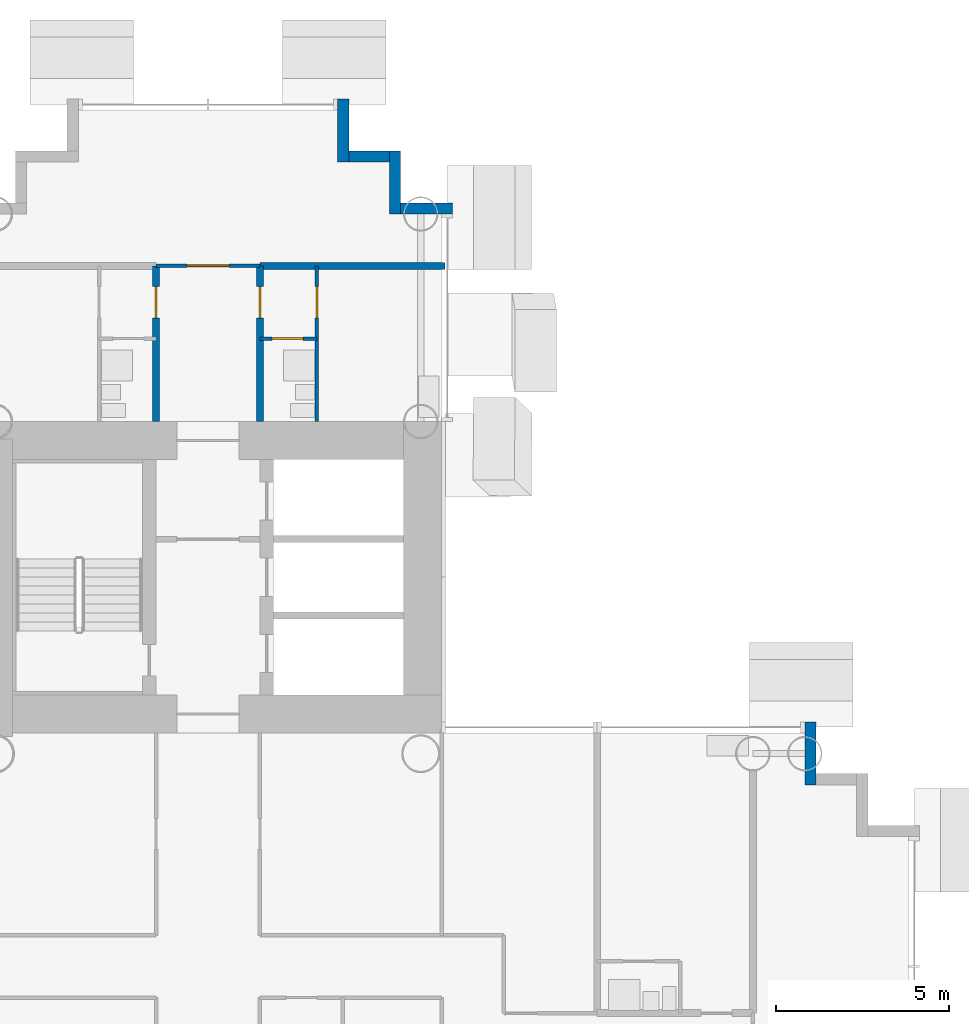
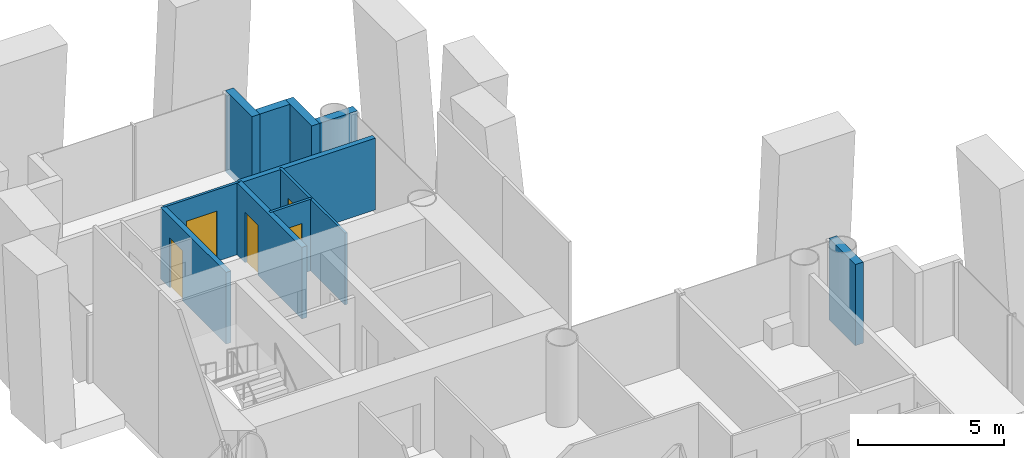
# One storey, part 17 of 25: 11 walls, 5 doors, 5 openings.
"""IFC4 building model written with IfcOpenShell, lengths in metres."""

from ifc_helpers import new_model, si_unit, direction, frame, frame_2d, origin, place, context, subcontext, project, spatial, rectangle, extrude, material, layer, layer_set, type_object, element, fill, save


model = new_model("IFC4")

# Units and contexts
model_context = context("Model", 3, precision=1e-05, world=origin(), true_north=direction((0.0, 1.0)))
body_context = subcontext(model_context, "Body", "Model", "MODEL_VIEW")
ifc_project = project(units=[si_unit("LENGTHUNIT", "METRE"), si_unit("AREAUNIT", "SQUARE_METRE"), si_unit("VOLUMEUNIT", "CUBIC_METRE"), si_unit("PLANEANGLEUNIT", "RADIAN"), si_unit("MASSUNIT", "GRAM", prefix="KILO")], contexts=[model_context])

# Site, building, storey
site_placement = place(None, origin())
site = spatial("IfcSite", under=ifc_project, at=site_placement, CompositionType="ELEMENT")
building_placement = place(site_placement, origin())
building = spatial("IfcBuilding", under=site, at=building_placement, Name="Ipe Terrace Towers", CompositionType="ELEMENT")
storey_placement = place(building_placement, frame((0.0, 0.0, 31.300048828125)))
storey = spatial("IfcBuildingStorey", under=building, at=storey_placement, Name="L07", CompositionType="ELEMENT", Elevation=31.300048828125)

# Walls
ifc_material_1 = material(Name="Concrete C40/50 with buff precast cladding", Category="concrete")
ifc_layer_1 = layer(ifc_material_1, 0.320068359375)
ifc_layer_set_1 = layer_set([ifc_layer_1], Name="BUFF CLADDING WALL 320")
wall_type_1 = type_object("IfcWallType", Name="BUFF CLADDING WALL 320", PredefinedType="STANDARD", material=ifc_layer_set_1)
wall_1_placement = place(storey_placement, frame((53.409912109375, 5.25, -0.300048828125), z_axis=(0.0, 0.0, 1.0), x_axis=(0.0, 1.0, 0.0)))
element("IfcWall", 1, at=wall_1_placement, inside=storey, type_object=wall_type_1, Name="T2-W-L07-16a wall", PredefinedType="STANDARD", context=body_context, shape_type="SweptSolid", body=[
    extrude(rectangle(XDim=1.820068359375, YDim=0.320068359375, at=frame_2d((0.91015625, 0.0))), origin(), (0.0, 0.0, 1.0), 3.39990234375),
])
wall_2_placement = place(storey_placement, frame((43.070068359375, 21.909912109375, -0.300048828125), z_axis=(0.0, 0.0, 1.0), x_axis=(-1.0, 0.0, 0.0)))
element("IfcWall", 2, at=wall_2_placement, inside=storey, type_object=wall_type_1, Name="T2-W-L07-21a wall", PredefinedType="STANDARD", context=body_context, shape_type="SweptSolid", body=[
    extrude(rectangle(XDim=1.5, YDim=0.320068359375, at=frame_2d((0.75, 0.0))), origin(), (0.0, 0.0, 1.0), 3.39990234375),
])
wall_3_placement = place(storey_placement, frame((41.409912109375, 21.75, -0.300048828125), z_axis=(0.0, 0.0, 1.0), x_axis=(0.0, 1.0, 0.0)))
element("IfcWall", 3, at=wall_3_placement, inside=storey, type_object=wall_type_1, Name="T2-W-L07-22a wall", PredefinedType="STANDARD", context=body_context, shape_type="SweptSolid", body=[
    extrude(rectangle(XDim=1.820068359375, YDim=0.320068359375, at=frame_2d((0.91015625, 0.0))), origin(), (0.0, 0.0, 1.0), 3.39990234375),
])
wall_4_placement = place(storey_placement, frame((41.25, 23.409912109375, -0.300048828125), z_axis=(0.0, 0.0, 1.0), x_axis=(-1.0, 0.0, 0.0)))
element("IfcWall", 4, at=wall_4_placement, inside=storey, type_object=wall_type_1, Name="T2-W-L07-23a wall", PredefinedType="STANDARD", context=body_context, shape_type="SweptSolid", body=[
    extrude(rectangle(XDim=1.179931640625, YDim=0.320068359375, at=frame_2d((0.58984375, 0.0))), origin(), (0.0, 0.0, 1.0), 3.39990234375),
])
wall_5_placement = place(storey_placement, frame((39.909912109375, 23.25, -0.300048828125), z_axis=(0.0, 0.0, 1.0), x_axis=(0.0, 1.0, 0.0)))
element("IfcWall", 5, at=wall_5_placement, inside=storey, type_object=wall_type_1, Name="T2-W-L07-24a wall", PredefinedType="STANDARD", context=body_context, shape_type="SweptSolid", body=[
    extrude(rectangle(XDim=1.820068359375, YDim=0.320068359375, at=frame_2d((0.91015625, 0.0))), origin(), (0.0, 0.0, 1.0), 3.39990234375),
])

# Wall, opening, door
ifc_material_2 = material(Name="Gypsum board partition", Category="plasterboard")
ifc_layer_2 = layer(ifc_material_2, 0.10009765625)
ifc_layer_set_2 = layer_set([ifc_layer_2], Name="Gypsum board partition 100 mm")
wall_type_2 = type_object("IfcWallType", Name="Gypsum board partition 100 mm", PredefinedType="PARTITIONING", material=ifc_layer_set_2)
wall_6_placement = place(storey_placement, frame((39.14990234375, 18.14990234375, 0.0), z_axis=(0.0, 0.0, 1.0), x_axis=(-1.0, 0.0, 0.0)))
wall_6 = element("IfcWall", 6, at=wall_6_placement, inside=storey, type_object=wall_type_2, Name="Gypsum board partition T2 L07 W19", PredefinedType="PARTITIONING", context=body_context, shape_type="SweptSolid", body=[
    extrude(rectangle(XDim=1.64990234375, YDim=0.10009765625, at=frame_2d((0.824951171875, 0.0))), origin(), (0.0, 0.0, 1.0), 3.0),
])
opening_1_placement = place(wall_6_placement, frame((0.39990234375, 0.0, 0.0)))
opening_1 = element("IfcOpeningElement", 7, at=opening_1_placement, cuts=wall_6, Name="Opening T2-Z1A-27", PredefinedType="OPENING", context=body_context, shape_type="SweptSolid", body=[
    extrude(rectangle(XDim=0.89990234375, YDim=2.10009765625, at=frame_2d((0.449951171875, 1.050048828125))), frame((0.0, 0.06005859375, 0.0), z_axis=(0.0, -1.0, 0.0), x_axis=(1.0, 0.0, 0.0)), (0.0, 0.0, 1.0), 0.1201171875),
])
ifc_material_3 = material(Name="Timber door leaf", Category="wood")
door_type_1 = type_object("IfcDoorType", Name="Bathroom door 900 x 2100", OperationType="NOTDEFINED", PredefinedType="DOOR", material=ifc_material_3)
door_1_placement = place(opening_1_placement, origin())
door_1 = element("IfcDoor", 8, at=door_1_placement, inside=storey, type_object=door_type_1, Name="Bathroom door T2-Z1A-27", OperationType="SINGLE_SWING_LEFT", OverallHeight=2.10009765625, OverallWidth=0.89990234375, PredefinedType="DOOR", context=body_context, shape_type="SweptSolid", body=[
    extrude(rectangle(XDim=0.89990234375, YDim=2.10009765625, at=frame_2d((0.449951171875, 1.050048828125))), frame((0.0, 0.02490234375, 0.0), z_axis=(0.0, -1.0, 0.0), x_axis=(1.0, 0.0, 0.0)), (0.0, 0.0, 1.0), 0.050048828125),
])
fill(opening_1, door_1)

wall_7_placement = place(storey_placement, frame((37.5, 20.25, 0.0), z_axis=(0.0, 0.0, 1.0), x_axis=(-1.0, 0.0, 0.0)))
wall_7 = element("IfcWall", 9, at=wall_7_placement, inside=storey, type_object=wall_type_2, Name="Gypsum board partition T2 L07 W21", PredefinedType="PARTITIONING", context=body_context, shape_type="SweptSolid", body=[
    extrude(rectangle(XDim=3.0, YDim=0.10009765625, at=frame_2d((1.5, 0.0))), origin(), (0.0, 0.0, 1.0), 3.0),
])
opening_2_placement = place(wall_7_placement, frame((0.89990234375, 0.0, 0.0)))
opening_2 = element("IfcOpeningElement", 10, at=opening_2_placement, cuts=wall_7, Name="Opening T2-Z1A-28", PredefinedType="OPENING", context=body_context, shape_type="SweptSolid", body=[
    extrude(rectangle(XDim=1.199951171875, YDim=2.10009765625, at=frame_2d((0.60009765625, 1.050048828125))), frame((0.0, 0.06005859375, 0.0), z_axis=(0.0, -1.0, 0.0), x_axis=(1.0, 0.0, 0.0)), (0.0, 0.0, 1.0), 0.1201171875),
])
ifc_material_4 = material(Name="Timber door leaf", Category="wood")
door_type_2 = type_object("IfcDoorType", Name="Lounge door 1200 x 2100", OperationType="NOTDEFINED", PredefinedType="DOOR", material=ifc_material_4)
door_2_placement = place(opening_2_placement, origin())
door_2 = element("IfcDoor", 11, at=door_2_placement, inside=storey, type_object=door_type_2, Name="Lounge door T2-Z1A-28", OperationType="SINGLE_SWING_RIGHT", OverallHeight=2.10009765625, OverallWidth=1.199951171875, PredefinedType="DOOR", context=body_context, shape_type="SweptSolid", body=[
    extrude(rectangle(XDim=1.199951171875, YDim=2.10009765625, at=frame_2d((0.60009765625, 1.050048828125))), frame((0.0, 0.02490234375, 0.0), z_axis=(0.0, -1.0, 0.0), x_axis=(1.0, 0.0, 0.0)), (0.0, 0.0, 1.0), 0.050048828125),
])
fill(opening_2, door_2)

wall_8_placement = place(storey_placement, frame((39.14990234375, 15.75, 0.0), z_axis=(0.0, 0.0, 1.0), x_axis=(0.0, 1.0, 0.0)))
wall_8 = element("IfcWall", 12, at=wall_8_placement, inside=storey, type_object=wall_type_2, Name="Gypsum board partition T2 L07 W34", PredefinedType="PARTITIONING", context=body_context, shape_type="SweptSolid", body=[
    extrude(rectangle(XDim=4.5, YDim=0.10009765625, at=frame_2d((2.25, 0.0))), origin(), (0.0, 0.0, 1.0), 3.0),
])
opening_3_placement = place(wall_8_placement, frame((3.0, 0.0, 0.0)))
opening_3 = element("IfcOpeningElement", 13, at=opening_3_placement, cuts=wall_8, Name="Opening T2-Z1A-26", PredefinedType="OPENING", context=body_context, shape_type="SweptSolid", body=[
    extrude(rectangle(XDim=0.89990234375, YDim=2.10009765625, at=frame_2d((0.449951171875, 1.050048828125))), frame((0.0, 0.06005859375, 0.0), z_axis=(0.0, -1.0, 0.0), x_axis=(1.0, 0.0, 0.0)), (0.0, 0.0, 1.0), 0.1201171875),
])
ifc_material_5 = material(Name="Timber door leaf", Category="wood")
door_type_3 = type_object("IfcDoorType", Name="Bedroom door 900 x 2100", OperationType="NOTDEFINED", PredefinedType="DOOR", material=ifc_material_5)
door_3_placement = place(opening_3_placement, origin())
door_3 = element("IfcDoor", 14, at=door_3_placement, inside=storey, type_object=door_type_3, Name="Bedroom door T2-Z1A-26", OperationType="SINGLE_SWING_RIGHT", OverallHeight=2.10009765625, OverallWidth=0.89990234375, PredefinedType="DOOR", context=body_context, shape_type="SweptSolid", body=[
    extrude(rectangle(XDim=0.89990234375, YDim=2.10009765625, at=frame_2d((0.449951171875, 1.050048828125))), frame((0.0, 0.02490234375, 0.0), z_axis=(0.0, -1.0, 0.0), x_axis=(1.0, 0.0, 0.0)), (0.0, 0.0, 1.0), 0.050048828125),
])
fill(opening_3, door_3)

# Wall
ifc_material_6 = material(Name="Gypsum board party wall", Category="plasterboard")
ifc_layer_3 = layer(ifc_material_6, 0.199951171875)
ifc_layer_set_3 = layer_set([ifc_layer_3], Name="Gypsum board party wall 200 mm")
wall_type_3 = type_object("IfcWallType", Name="Gypsum board party wall 200 mm", PredefinedType="SOLIDWALL", material=ifc_layer_set_3)
wall_9_placement = place(storey_placement, frame((42.85009765625, 20.25, 0.0), z_axis=(0.0, 0.0, 1.0), x_axis=(-1.0, 0.0, 0.0)))
element("IfcWall", 15, at=wall_9_placement, inside=storey, type_object=wall_type_3, Name="Gypsum board party wall T2 L07 W22", PredefinedType="SOLIDWALL", context=body_context, shape_type="SweptSolid", body=[
    extrude(rectangle(XDim=5.35009765625, YDim=0.199951171875, at=frame_2d((2.675048828125, 0.0))), origin(), (0.0, 0.0, 1.0), 3.0),
])

# Wall, opening, door
wall_10_placement = place(storey_placement, frame((37.5, 15.75, 0.0), z_axis=(0.0, 0.0, 1.0), x_axis=(0.0, 1.0, 0.0)))
wall_10 = element("IfcWall", 16, at=wall_10_placement, inside=storey, type_object=wall_type_3, Name="Gypsum board party wall T2 L07 W38", PredefinedType="SOLIDWALL", context=body_context, shape_type="SweptSolid", body=[
    extrude(rectangle(XDim=4.5, YDim=0.199951171875, at=frame_2d((2.25, 0.0))), origin(), (0.0, 0.0, 1.0), 3.0),
])
opening_4_placement = place(wall_10_placement, frame((3.0, 0.0, 0.0)))
opening_4 = element("IfcOpeningElement", 17, at=opening_4_placement, cuts=wall_10, Name="Opening T2-Z1A-25", PredefinedType="OPENING", context=body_context, shape_type="SweptSolid", body=[
    extrude(rectangle(XDim=0.89990234375, YDim=2.10009765625, at=frame_2d((0.449951171875, 1.050048828125))), frame((0.0, 0.10986328125, 0.0), z_axis=(0.0, -1.0, 0.0), x_axis=(1.0, 0.0, 0.0)), (0.0, 0.0, 1.0), 0.219970703125),
])
ifc_material_7 = material(Name="Fire-rated timber door leaf", Category="wood")
door_type_4 = type_object("IfcDoorType", Name="Flat entrance door 900 x 2100 FD30S", OperationType="NOTDEFINED", PredefinedType="DOOR", material=ifc_material_7)
door_4_placement = place(opening_4_placement, origin())
door_4 = element("IfcDoor", 18, at=door_4_placement, inside=storey, type_object=door_type_4, Name="Flat entrance door T2-Z1A-25", OperationType="SINGLE_SWING_RIGHT", OverallHeight=2.10009765625, OverallWidth=0.89990234375, PredefinedType="DOOR", context=body_context, shape_type="SweptSolid", body=[
    extrude(rectangle(XDim=0.89990234375, YDim=2.10009765625, at=frame_2d((0.449951171875, 1.050048828125))), frame((0.0, 0.02490234375, 0.0), z_axis=(0.0, -1.0, 0.0), x_axis=(1.0, 0.0, 0.0)), (0.0, 0.0, 1.0), 0.050048828125),
])
fill(opening_4, door_4)

wall_11_placement = place(storey_placement, frame((34.5, 15.75, 0.0), z_axis=(0.0, 0.0, 1.0), x_axis=(0.0, 1.0, 0.0)))
wall_11 = element("IfcWall", 19, at=wall_11_placement, inside=storey, type_object=wall_type_3, Name="Gypsum board party wall T2 L07 W42", PredefinedType="SOLIDWALL", context=body_context, shape_type="SweptSolid", body=[
    extrude(rectangle(XDim=4.5, YDim=0.199951171875, at=frame_2d((2.25, 0.0))), origin(), (0.0, 0.0, 1.0), 3.0),
])
opening_5_placement = place(wall_11_placement, frame((3.0, 0.0, 0.0)))
opening_5 = element("IfcOpeningElement", 20, at=opening_5_placement, cuts=wall_11, Name="Opening T2-Z1A-22", PredefinedType="OPENING", context=body_context, shape_type="SweptSolid", body=[
    extrude(rectangle(XDim=0.89990234375, YDim=2.10009765625, at=frame_2d((0.449951171875, 1.050048828125))), frame((0.0, 0.10986328125, 0.0), z_axis=(0.0, -1.0, 0.0), x_axis=(1.0, 0.0, 0.0)), (0.0, 0.0, 1.0), 0.219970703125),
])
door_5_placement = place(opening_5_placement, origin())
door_5 = element("IfcDoor", 21, at=door_5_placement, inside=storey, type_object=door_type_4, Name="Flat entrance door T2-Z1A-22", OperationType="SINGLE_SWING_LEFT", OverallHeight=2.10009765625, OverallWidth=0.89990234375, PredefinedType="DOOR", context=body_context, shape_type="SweptSolid", body=[
    extrude(rectangle(XDim=0.89990234375, YDim=2.10009765625, at=frame_2d((0.449951171875, 1.050048828125))), frame((0.0, 0.02490234375, 0.0), z_axis=(0.0, -1.0, 0.0), x_axis=(1.0, 0.0, 0.0)), (0.0, 0.0, 1.0), 0.050048828125),
])
fill(opening_5, door_5)

save(model, "model.ifc")
